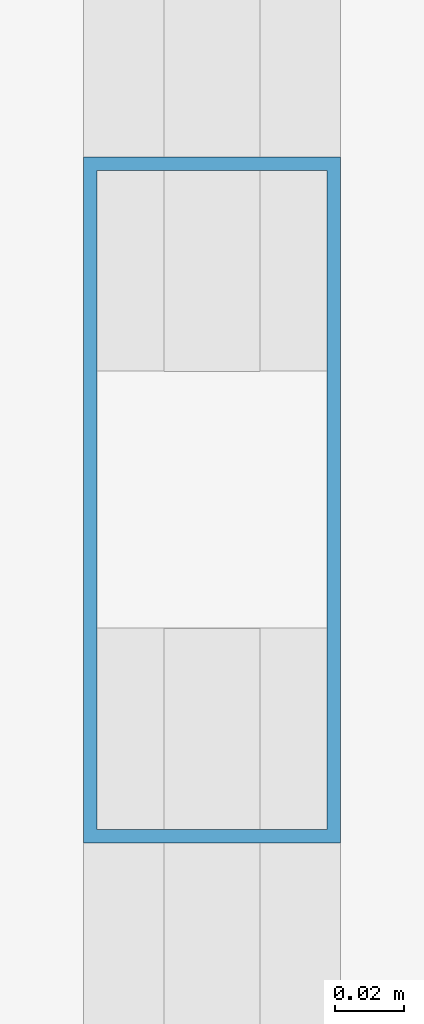
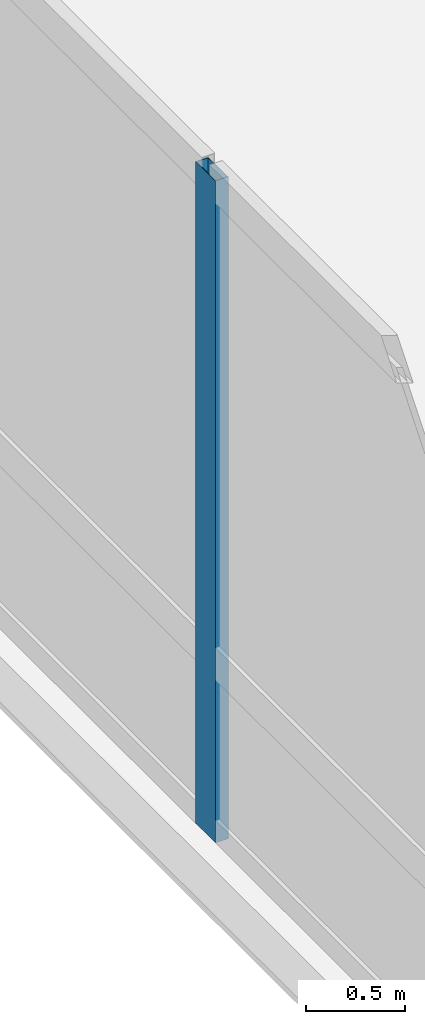
# One storey, part 10 of 36: 1 member, 1 element without a shape of its own.
"""IFC4 building model written with IfcOpenShell, lengths in metres."""

from ifc_helpers import new_model, si_unit, direction, frame, origin, origin_2d, place, context, subcontext, project, spatial, hollow_rectangle, extrude, material, layer, layer_set, material_profile, profile_set, type_object, element, aggregate, save


model = new_model("IFC4")

# Units and contexts
model_context = context("Model", 3, precision=1e-05, world=origin(), true_north=direction((0.0, 1.0)))
body_context = subcontext(model_context, "Body", "Model", "MODEL_VIEW")
ifc_project = project(units=[si_unit("LENGTHUNIT", "METRE"), si_unit("AREAUNIT", "SQUARE_METRE"), si_unit("VOLUMEUNIT", "CUBIC_METRE"), si_unit("PLANEANGLEUNIT", "RADIAN"), si_unit("MASSUNIT", "GRAM", prefix="KILO")], contexts=[model_context])

# Site, building, storey
site_placement = place(None, origin())
site = spatial("IfcSite", under=ifc_project, at=site_placement, CompositionType="ELEMENT")
building_placement = place(site_placement, origin())
building = spatial("IfcBuilding", under=site, at=building_placement, Name="Varnelok Gate Tower", CompositionType="ELEMENT")
storey_placement = place(building_placement, frame((0.0, 0.0, 10.800048828125)))
storey = spatial("IfcBuildingStorey", under=building, at=storey_placement, Name="L02", CompositionType="ELEMENT", Elevation=10.800048828125)

# Curtain wall, member
ifc_material = material(Name="Anodized Aluminum Alloy 6063-T6", Category="aluminium")
ifc_layer = layer(ifc_material, 0.179931640625)
ifc_layer_set = layer_set([ifc_layer], Name="Anodized Aluminum Alloy 6063-T6")
curtain_wall_type = type_object("IfcCurtainWallType", Name="CW1-ARCH-PORTAL", PredefinedType="USERDEFINED", material=ifc_layer_set)
curtain_wall_placement = place(storey_placement, origin())
curtain_wall = element("IfcCurtainWall", 1, at=curtain_wall_placement, inside=storey, type_object=curtain_wall_type, Name="L02 Podium Portal Curtain Wall W", ObjectType="UNITISED CURTAIN WALL", PredefinedType="USERDEFINED")
ifc_material_profile = material_profile(ifc_material, hollow_rectangle(XDim=0.074951171875, YDim=0.199951171875, WallThickness=0.00390625, at=origin_2d()), Name="ALU200X75X4")
ifc_profile_set = profile_set([ifc_material_profile], Name="Anodized Aluminum Alloy 6063-T6")
member_type = type_object("IfcMemberType", Name="CW-MULL-200", PredefinedType="MULLION", material=ifc_profile_set)
member_placement = place(storey_placement, frame((0.159912109375, 30.199951171875, 0.0), z_axis=(0.0, 0.0, 1.0), x_axis=(-1.0, 0.0, 0.0)))
member = element("IfcMember", 2, at=member_placement, type_object=member_type, Name="CW1 mullion 4", PredefinedType="MULLION", context=body_context, shape_type="SweptSolid", body=[
    extrude(hollow_rectangle(XDim=0.074951171875, YDim=0.199951171875, WallThickness=0.00390625, at=origin_2d()), origin(), (0.0, 0.0, 1.0), 4.070068359375),
])
aggregate(curtain_wall, [member])

save(model, "model.ifc")
